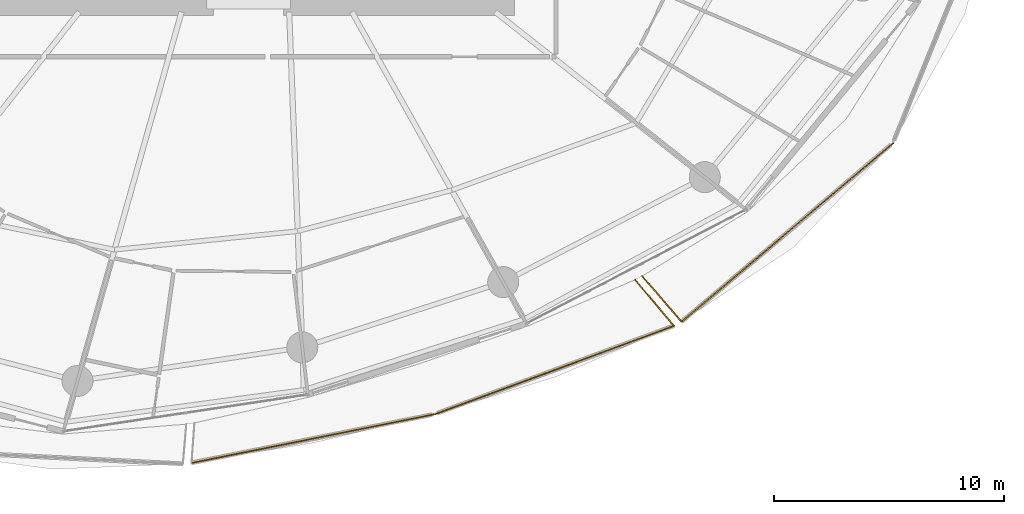
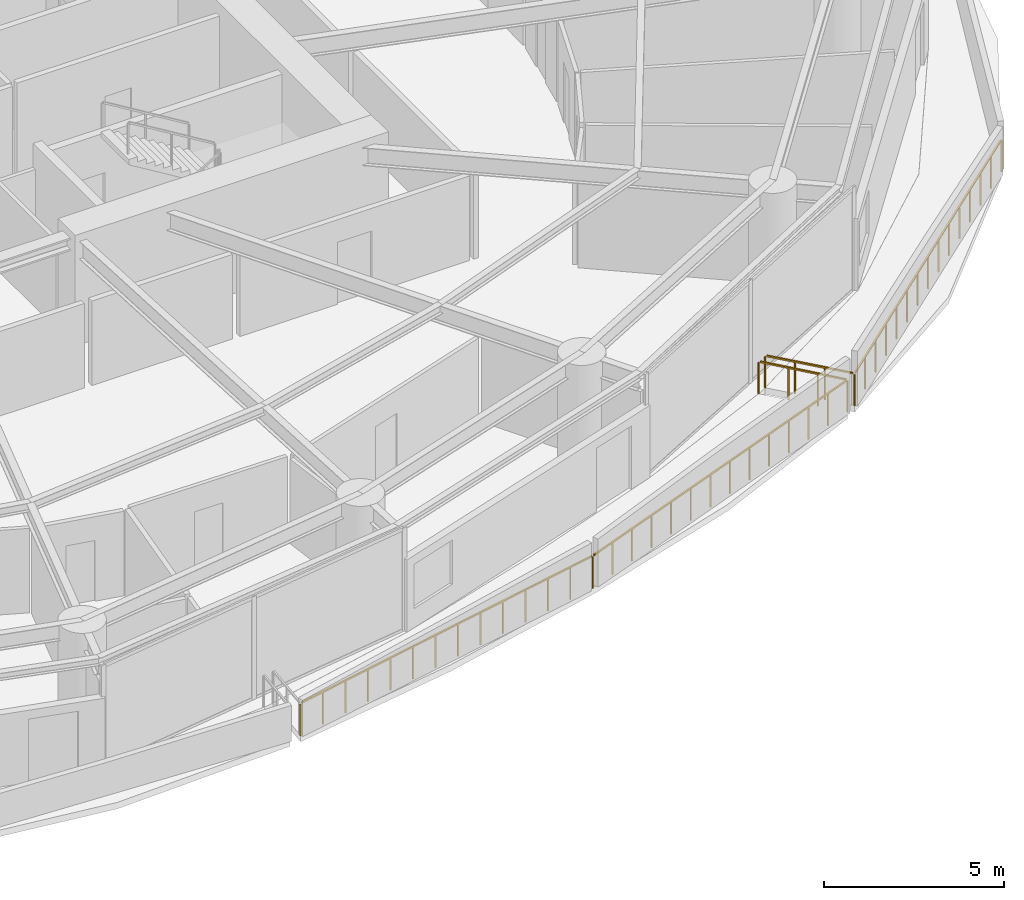
# One storey, part 27 of 31: 5 railings.
"""IFC4 building model written with IfcOpenShell, lengths in metres."""

from ifc_helpers import new_model, si_unit, direction, frame, origin, origin_2d, place, context, subcontext, project, spatial, rectangle, extrude, material, type_object, element, save


model = new_model("IFC4")

# Units and contexts
model_context = context("Model", 3, precision=1e-05, world=origin(), true_north=direction((0.0, 1.0)))
body_context = subcontext(model_context, "Body", "Model", "MODEL_VIEW")
ifc_project = project(units=[si_unit("LENGTHUNIT", "METRE"), si_unit("AREAUNIT", "SQUARE_METRE"), si_unit("VOLUMEUNIT", "CUBIC_METRE"), si_unit("PLANEANGLEUNIT", "RADIAN"), si_unit("MASSUNIT", "GRAM", prefix="KILO")], contexts=[model_context])

# Site, building, storey
site_placement = place(None, origin())
site = spatial("IfcSite", under=ifc_project, at=site_placement, CompositionType="ELEMENT")
building_placement = place(site_placement, origin())
building = spatial("IfcBuilding", under=site, at=building_placement, Name="Kazma Halo Residences", CompositionType="ELEMENT")
storey_placement = place(building_placement, frame((0.0, 0.0, 37.64990234375)))
storey = spatial("IfcBuildingStorey", under=building, at=storey_placement, Name="L08", CompositionType="ELEMENT", Elevation=37.64990234375)

# Railings
ifc_material = material(Name="Aluminium AW-6063 T6 Brushed Cap Rail", Category="aluminium")
railing_type = type_object("IfcRailingType", Name="RLG-BAL-CAP-1120", PredefinedType="BALUSTRADE", material=ifc_material)
railing_1_placement = place(storey_placement, frame((45.93798828125, 13.580078125, 0.0)))
element("IfcRailing", 1, at=railing_1_placement, inside=storey, type_object=railing_type, Name="L08 SSE wave balcony guard 2", PredefinedType="BALUSTRADE", context=body_context, shape_type="SweptSolid", body=[
    extrude(rectangle(XDim=0.050048828125, YDim=0.050048828125, at=origin_2d()), frame((0.041748046875, 0.00830078125, 1.09521484375), z_axis=(0.980530292634, 0.19636788237, 0.0), x_axis=(-0.19636788237, 0.980530292634, 0.0)), (0.0, 0.0, 1.0), 10.7314453125),
    extrude(rectangle(XDim=0.0400390625, YDim=0.0400390625, at=origin_2d()), origin(), (0.0, 0.0, 1.0), 1.05810546875),
    extrude(rectangle(XDim=0.0400390625, YDim=0.0400390625, at=origin_2d()), frame((0.81591796875, 0.163330078125, 0.0)), (0.0, 0.0, 1.0), 1.05810546875),
    extrude(rectangle(XDim=0.0400390625, YDim=0.0400390625, at=origin_2d()), frame((1.631591796875, 0.32666015625, 0.0)), (0.0, 0.0, 1.0), 1.05810546875),
    extrude(rectangle(XDim=0.0400390625, YDim=0.0400390625, at=origin_2d()), frame((2.447509765625, 0.490234375, 0.0)), (0.0, 0.0, 1.0), 1.05810546875),
    extrude(rectangle(XDim=0.0400390625, YDim=0.0400390625, at=origin_2d()), frame((3.263427734375, 0.653564453125, 0.0)), (0.0, 0.0, 1.0), 1.05810546875),
    extrude(rectangle(XDim=0.0400390625, YDim=0.0400390625, at=origin_2d()), frame((4.0791015625, 0.81689453125, 0.0)), (0.0, 0.0, 1.0), 1.05810546875),
    extrude(rectangle(XDim=0.0400390625, YDim=0.0400390625, at=origin_2d()), frame((4.89501953125, 0.980224609375, 0.0)), (0.0, 0.0, 1.0), 1.05810546875),
    extrude(rectangle(XDim=0.0400390625, YDim=0.0400390625, at=origin_2d()), frame((5.7109375, 1.143798828125, 0.0)), (0.0, 0.0, 1.0), 1.05810546875),
    extrude(rectangle(XDim=0.0400390625, YDim=0.0400390625, at=origin_2d()), frame((6.52685546875, 1.30712890625, 0.0)), (0.0, 0.0, 1.0), 1.05810546875),
    extrude(rectangle(XDim=0.0400390625, YDim=0.0400390625, at=origin_2d()), frame((7.342529296875, 1.470458984375, 0.0)), (0.0, 0.0, 1.0), 1.05810546875),
    extrude(rectangle(XDim=0.0400390625, YDim=0.0400390625, at=origin_2d()), frame((8.158447265625, 1.6337890625, 0.0)), (0.0, 0.0, 1.0), 1.05810546875),
    extrude(rectangle(XDim=0.0400390625, YDim=0.0400390625, at=origin_2d()), frame((8.974365234375, 1.79736328125, 0.0)), (0.0, 0.0, 1.0), 1.05810546875),
    extrude(rectangle(XDim=0.0400390625, YDim=0.0400390625, at=origin_2d()), frame((9.7900390625, 1.960693359375, 0.0)), (0.0, 0.0, 1.0), 1.05810546875),
    extrude(rectangle(XDim=0.0400390625, YDim=0.0400390625, at=origin_2d()), frame((10.60595703125, 2.1240234375, 0.0)), (0.0, 0.0, 1.0), 1.05810546875),
])
railing_2_placement = place(storey_placement, frame((56.5439453125, 15.7041015625, 0.0)))
element("IfcRailing", 2, at=railing_2_placement, inside=storey, type_object=railing_type, Name="L08 SSE wave balcony guard 3", PredefinedType="BALUSTRADE", context=body_context, shape_type="SweptSolid", body=[
    extrude(rectangle(XDim=0.050048828125, YDim=0.050048828125, at=origin_2d()), frame((0.039794921875, 0.0146484375, 1.09521484375), z_axis=(0.937999325113, 0.346637081237, 0.0), x_axis=(-0.346637081237, 0.937999325113, 0.0)), (0.0, 0.0, 1.0), 10.999267578125),
    extrude(rectangle(XDim=0.0400390625, YDim=0.0400390625, at=origin_2d()), origin(), (0.0, 0.0, 1.0), 1.05810546875),
    extrude(rectangle(XDim=0.0400390625, YDim=0.0400390625, at=origin_2d()), frame((0.7998046875, 0.295654296875, 0.0)), (0.0, 0.0, 1.0), 1.05810546875),
    extrude(rectangle(XDim=0.0400390625, YDim=0.0400390625, at=origin_2d()), frame((1.599609375, 0.591064453125, 0.0)), (0.0, 0.0, 1.0), 1.05810546875),
    extrude(rectangle(XDim=0.0400390625, YDim=0.0400390625, at=origin_2d()), frame((2.3994140625, 0.88671875, 0.0)), (0.0, 0.0, 1.0), 1.05810546875),
    extrude(rectangle(XDim=0.0400390625, YDim=0.0400390625, at=origin_2d()), frame((3.19921875, 1.18212890625, 0.0)), (0.0, 0.0, 1.0), 1.05810546875),
    extrude(rectangle(XDim=0.0400390625, YDim=0.0400390625, at=origin_2d()), frame((3.9990234375, 1.477783203125, 0.0)), (0.0, 0.0, 1.0), 1.05810546875),
    extrude(rectangle(XDim=0.0400390625, YDim=0.0400390625, at=origin_2d()), frame((4.798828125, 1.7734375, 0.0)), (0.0, 0.0, 1.0), 1.05810546875),
    extrude(rectangle(XDim=0.0400390625, YDim=0.0400390625, at=origin_2d()), frame((5.598388671875, 2.06884765625, 0.0)), (0.0, 0.0, 1.0), 1.05810546875),
    extrude(rectangle(XDim=0.0400390625, YDim=0.0400390625, at=origin_2d()), frame((6.398193359375, 2.364501953125, 0.0)), (0.0, 0.0, 1.0), 1.05810546875),
    extrude(rectangle(XDim=0.0400390625, YDim=0.0400390625, at=origin_2d()), frame((7.197998046875, 2.66015625, 0.0)), (0.0, 0.0, 1.0), 1.05810546875),
    extrude(rectangle(XDim=0.0400390625, YDim=0.0400390625, at=origin_2d()), frame((7.997802734375, 2.95556640625, 0.0)), (0.0, 0.0, 1.0), 1.05810546875),
    extrude(rectangle(XDim=0.0400390625, YDim=0.0400390625, at=origin_2d()), frame((8.797607421875, 3.251220703125, 0.0)), (0.0, 0.0, 1.0), 1.05810546875),
    extrude(rectangle(XDim=0.0400390625, YDim=0.0400390625, at=origin_2d()), frame((9.597412109375, 3.546630859375, 0.0)), (0.0, 0.0, 1.0), 1.05810546875),
    extrude(rectangle(XDim=0.0400390625, YDim=0.0400390625, at=origin_2d()), frame((10.397216796875, 3.84228515625, 0.0)), (0.0, 0.0, 1.0), 1.05810546875),
])
railing_3_placement = place(storey_placement, frame((66.941162109375, 19.54638671875, 0.0)))
element("IfcRailing", 3, at=railing_3_placement, inside=storey, type_object=railing_type, Name="L08 SSE wave balcony guard 4", PredefinedType="BALUSTRADE", context=body_context, shape_type="SweptSolid", body=[
    extrude(rectangle(XDim=0.050048828125, YDim=0.050048828125, at=origin_2d()), frame((-0.02734375, 0.032470703125, 1.09521484375), z_axis=(-0.64478266739, 0.764365954131, 0.0), x_axis=(-0.764365954131, -0.64478266739, 0.0)), (0.0, 0.0, 1.0), 2.54052734375),
    extrude(rectangle(XDim=0.0400390625, YDim=0.0400390625, at=origin_2d()), origin(), (0.0, 0.0, 1.0), 1.05810546875),
    extrude(rectangle(XDim=0.0400390625, YDim=0.0400390625, at=origin_2d()), frame((-0.564208984375, 0.6689453125, 0.0)), (0.0, 0.0, 1.0), 1.05810546875),
    extrude(rectangle(XDim=0.0400390625, YDim=0.0400390625, at=origin_2d()), frame((-1.128662109375, 1.337890625, 0.0)), (0.0, 0.0, 1.0), 1.05810546875),
    extrude(rectangle(XDim=0.0400390625, YDim=0.0400390625, at=origin_2d()), frame((-1.69287109375, 2.0068359375, 0.0)), (0.0, 0.0, 1.0), 1.05810546875),
])
railing_4_placement = place(storey_placement, frame((65.546142578125, 21.70849609375, 0.0)))
element("IfcRailing", 4, at=railing_4_placement, inside=storey, type_object=railing_type, Name="L08 SE wave balcony guard 1", PredefinedType="BALUSTRADE", context=body_context, shape_type="SweptSolid", body=[
    extrude(rectangle(XDim=0.050048828125, YDim=0.050048828125, at=origin_2d()), frame((0.02783203125, -0.0322265625, 1.09521484375), z_axis=(0.654071575438, -0.756432663364, 0.0), x_axis=(0.756432663364, 0.654071575438, 0.0)), (0.0, 0.0, 1.0), 2.545654296875),
    extrude(rectangle(XDim=0.0400390625, YDim=0.0400390625, at=origin_2d()), origin(), (0.0, 0.0, 1.0), 1.05810546875),
    extrude(rectangle(XDim=0.0400390625, YDim=0.0400390625, at=origin_2d()), frame((0.573486328125, -0.663330078125, 0.0)), (0.0, 0.0, 1.0), 1.05810546875),
    extrude(rectangle(XDim=0.0400390625, YDim=0.0400390625, at=origin_2d()), frame((1.147216796875, -1.32666015625, 0.0)), (0.0, 0.0, 1.0), 1.05810546875),
    extrude(rectangle(XDim=0.0400390625, YDim=0.0400390625, at=origin_2d()), frame((1.720703125, -1.989990234375, 0.0)), (0.0, 0.0, 1.0), 1.05810546875),
])
railing_5_placement = place(storey_placement, frame((67.266845703125, 19.718505859375, 0.0)))
element("IfcRailing", 5, at=railing_5_placement, inside=storey, type_object=railing_type, Name="L08 SE wave balcony guard 2", PredefinedType="BALUSTRADE", context=body_context, shape_type="SweptSolid", body=[
    extrude(rectangle(XDim=0.050048828125, YDim=0.050048828125, at=origin_2d()), frame((0.032470703125, 0.02734375, 1.09521484375), z_axis=(0.76369214985, 0.645580591605, 0.0), x_axis=(-0.645580591605, 0.76369214985, 0.0)), (0.0, 0.0, 1.0), 11.961669921875),
    extrude(rectangle(XDim=0.0400390625, YDim=0.0400390625, at=origin_2d()), origin(), (0.0, 0.0, 1.0), 1.05810546875),
    extrude(rectangle(XDim=0.0400390625, YDim=0.0400390625, at=origin_2d()), frame((0.6572265625, 0.555419921875, 0.0)), (0.0, 0.0, 1.0), 1.05810546875),
    extrude(rectangle(XDim=0.0400390625, YDim=0.0400390625, at=origin_2d()), frame((1.314208984375, 1.111083984375, 0.0)), (0.0, 0.0, 1.0), 1.05810546875),
    extrude(rectangle(XDim=0.0400390625, YDim=0.0400390625, at=origin_2d()), frame((1.971435546875, 1.66650390625, 0.0)), (0.0, 0.0, 1.0), 1.05810546875),
    extrude(rectangle(XDim=0.0400390625, YDim=0.0400390625, at=origin_2d()), frame((2.628662109375, 2.221923828125, 0.0)), (0.0, 0.0, 1.0), 1.05810546875),
    extrude(rectangle(XDim=0.0400390625, YDim=0.0400390625, at=origin_2d()), frame((3.28564453125, 2.777587890625, 0.0)), (0.0, 0.0, 1.0), 1.05810546875),
    extrude(rectangle(XDim=0.0400390625, YDim=0.0400390625, at=origin_2d()), frame((3.94287109375, 3.3330078125, 0.0)), (0.0, 0.0, 1.0), 1.05810546875),
    extrude(rectangle(XDim=0.0400390625, YDim=0.0400390625, at=origin_2d()), frame((4.60009765625, 3.888671875, 0.0)), (0.0, 0.0, 1.0), 1.05810546875),
    extrude(rectangle(XDim=0.0400390625, YDim=0.0400390625, at=origin_2d()), frame((5.257080078125, 4.444091796875, 0.0)), (0.0, 0.0, 1.0), 1.05810546875),
    extrude(rectangle(XDim=0.0400390625, YDim=0.0400390625, at=origin_2d()), frame((5.914306640625, 4.99951171875, 0.0)), (0.0, 0.0, 1.0), 1.05810546875),
    extrude(rectangle(XDim=0.0400390625, YDim=0.0400390625, at=origin_2d()), frame((6.5712890625, 5.55517578125, 0.0)), (0.0, 0.0, 1.0), 1.05810546875),
    extrude(rectangle(XDim=0.0400390625, YDim=0.0400390625, at=origin_2d()), frame((7.228515625, 6.110595703125, 0.0)), (0.0, 0.0, 1.0), 1.05810546875),
    extrude(rectangle(XDim=0.0400390625, YDim=0.0400390625, at=origin_2d()), frame((7.8857421875, 6.666015625, 0.0)), (0.0, 0.0, 1.0), 1.05810546875),
    extrude(rectangle(XDim=0.0400390625, YDim=0.0400390625, at=origin_2d()), frame((8.542724609375, 7.2216796875, 0.0)), (0.0, 0.0, 1.0), 1.05810546875),
    extrude(rectangle(XDim=0.0400390625, YDim=0.0400390625, at=origin_2d()), frame((9.199951171875, 7.777099609375, 0.0)), (0.0, 0.0, 1.0), 1.05810546875),
])

save(model, "model.ifc")
